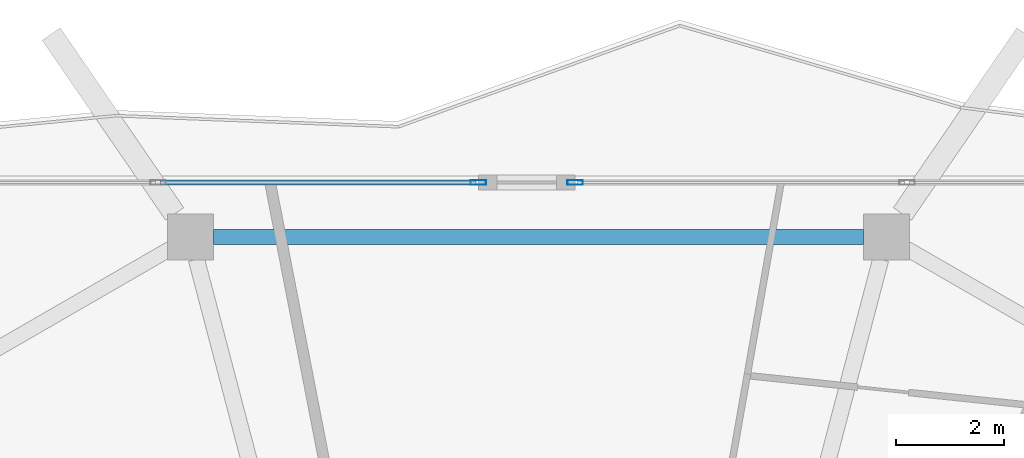
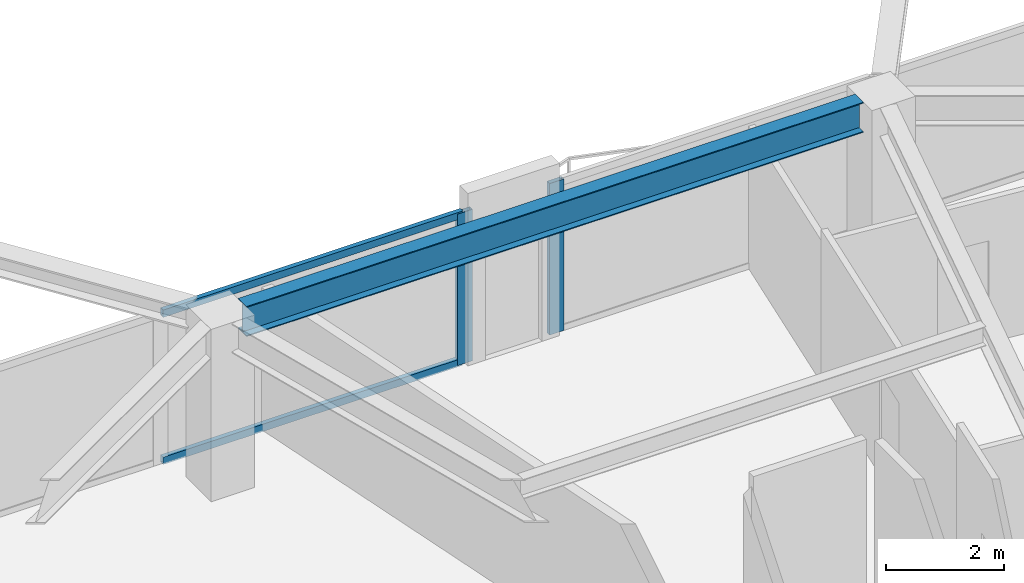
# One storey, part 14 of 26: 4 members, 1 beam, 2 elements without a shape of their own.
"""IFC4 building model written with IfcOpenShell, lengths in metres."""

from ifc_helpers import new_model, si_unit, direction, frame, origin, origin_2d, place, context, subcontext, project, spatial, hollow_rectangle, i_section, extrude, material, material_profile, profile_set, type_object, element, aggregate, save


model = new_model("IFC4")

# Units and contexts
model_context = context("Model", 3, precision=1e-05, world=origin(), true_north=direction((0.0, 1.0)))
body_context = subcontext(model_context, "Body", "Model", "MODEL_VIEW")
ifc_project = project(units=[si_unit("LENGTHUNIT", "METRE"), si_unit("AREAUNIT", "SQUARE_METRE"), si_unit("VOLUMEUNIT", "CUBIC_METRE"), si_unit("PLANEANGLEUNIT", "RADIAN"), si_unit("MASSUNIT", "GRAM", prefix="KILO")], contexts=[model_context])

# Site, building, storey
site_placement = place(None, origin())
site = spatial("IfcSite", under=ifc_project, at=site_placement, CompositionType="ELEMENT")
building_placement = place(site_placement, origin())
building = spatial("IfcBuilding", under=site, at=building_placement, Name="Zuhravey Tower", CompositionType="ELEMENT")
storey_placement = place(building_placement, frame((0.0, 0.0, 288.199951171875)))
storey = spatial("IfcBuildingStorey", under=building, at=storey_placement, Name="L73", CompositionType="ELEMENT", Elevation=288.199951171875)

# Curtain wall, member
ifc_material_1 = material(Name="Thermally broken anodised aluminium", Category="aluminium")
curtain_wall_type = type_object("IfcCurtainWallType", Name="Zone 3-4 High-Rise Curtain Wall CW4", PredefinedType="NOTDEFINED", material=ifc_material_1)
curtain_wall_1_placement = place(storey_placement, origin())
curtain_wall_1 = element("IfcCurtainWall", 1, at=curtain_wall_1_placement, inside=storey, type_object=curtain_wall_type, Name="L73 CW4 CW-L73-F2-1", PredefinedType="NOTDEFINED")
ifc_material_2 = material(Name="Anodised aluminium", Category="aluminium")
ifc_material_profile_1 = material_profile(ifc_material_2, hollow_rectangle(XDim=0.090087890625, YDim=0.284912109375, WallThickness=0.0048828125, at=origin_2d()), Name="ALU-RHS-90x285x5")
ifc_profile_set_1 = profile_set([ifc_material_profile_1], Name="Anodised aluminium")
member_type_1 = type_object("IfcMemberType", Name="Curtain-Wall Mullion 90x180", PredefinedType="MULLION", material=ifc_profile_set_1)
member_1_placement = place(storey_placement, frame((34.88623046875, 57.563720703125, 0.0), z_axis=(0.0, 0.0, 1.0), x_axis=(0.0, 1.0, 0.0)))
member_1 = element("IfcMember", 2, at=member_1_placement, type_object=member_type_1, Name="CW4 mullion 3", PredefinedType="MULLION", context=body_context, shape_type="SweptSolid", body=[
    extrude(hollow_rectangle(XDim=0.090087890625, YDim=0.284912109375, WallThickness=0.0048828125, at=origin_2d()), origin(), (0.0, 0.0, 1.0), 3.1220703125),
])

curtain_wall_2_placement = place(storey_placement, origin())
curtain_wall_2 = element("IfcCurtainWall", 3, at=curtain_wall_2_placement, inside=storey, type_object=curtain_wall_type, Name="L73 CW4 CW-L73-F2-2", PredefinedType="NOTDEFINED")
member_2_placement = place(storey_placement, frame((36.67626953125, 57.563720703125, 0.0), z_axis=(0.0, 0.0, 1.0), x_axis=(0.0, 1.0, 0.0)))
member_2 = element("IfcMember", 4, at=member_2_placement, type_object=member_type_1, Name="CW4 mullion 1", PredefinedType="MULLION", context=body_context, shape_type="SweptSolid", body=[
    extrude(hollow_rectangle(XDim=0.090087890625, YDim=0.284912109375, WallThickness=0.0048828125, at=origin_2d()), origin(), (0.0, 0.0, 1.0), 3.1220703125),
])
aggregate(curtain_wall_2, [member_2])

# Member
ifc_material_profile_2 = material_profile(ifc_material_2, hollow_rectangle(XDim=0.090087890625, YDim=0.14990234375, WallThickness=0.0048828125, at=origin_2d()), Name="ALU-RHS-90x150x5")
ifc_profile_set_2 = profile_set([ifc_material_profile_2], Name="Anodised aluminium")
member_type_2 = type_object("IfcMemberType", Name="Curtain-Wall Transom 90x150", PredefinedType="USERDEFINED", material=ifc_profile_set_2)
member_3_placement = place(storey_placement, frame((29.004150390625, 57.563720703125, 0.045166015625), z_axis=(1.0, 0.0, 0.0), x_axis=(0.0, 1.0, 0.0)))
member_3 = element("IfcMember", 5, at=member_3_placement, type_object=member_type_2, Name="CW4 transom 2.1", ObjectType="TRANSOM", PredefinedType="USERDEFINED", context=body_context, shape_type="SweptSolid", body=[
    extrude(hollow_rectangle(XDim=0.090087890625, YDim=0.14990234375, WallThickness=0.0048828125, at=origin_2d()), origin(), (0.0, 0.0, 1.0), 5.837158203125),
])

member_4_placement = place(storey_placement, frame((29.004150390625, 57.563720703125, 3.0771484375), z_axis=(1.0, 0.0, 0.0), x_axis=(0.0, 1.0, 0.0)))
member_4 = element("IfcMember", 6, at=member_4_placement, type_object=member_type_2, Name="CW4 transom 2.2", ObjectType="TRANSOM", PredefinedType="USERDEFINED", context=body_context, shape_type="SweptSolid", body=[
    extrude(hollow_rectangle(XDim=0.090087890625, YDim=0.14990234375, WallThickness=0.0048828125, at=origin_2d()), origin(), (0.0, 0.0, 1.0), 5.837158203125),
])

aggregate(curtain_wall_1, [member_1, member_3, member_4])

# Beam
ifc_material_3 = material(Name="Steel SM355", Category="steel")
ifc_material_profile_3 = material_profile(ifc_material_3, i_section(OverallWidth=0.280029296875, OverallDepth=0.6201171875, WebThickness=0.011962890625, FlangeThickness=0.02001953125, at=origin_2d()), Name="H-620x280x12x20")
ifc_profile_set_3 = profile_set([ifc_material_profile_3], Name="Steel SM355")
beam_type = type_object("IfcBeamType", Name="Perimeter Ring Beam H620x280", PredefinedType="BEAM", material=ifc_profile_set_3)
beam_placement = place(storey_placement, frame((42.012939453125, 56.5537109375, 3.239990234375), z_axis=(-1.0, 0.0, 0.0), x_axis=(0.0, -1.0, 0.0)))
element("IfcBeam", 7, at=beam_placement, inside=storey, type_object=beam_type, Name="L73 PB3 BM-L73-PB-03", PredefinedType="BEAM", context=body_context, shape_type="SweptSolid", body=[
    extrude(i_section(OverallWidth=0.280029296875, OverallDepth=0.6201171875, WebThickness=0.011962890625, FlangeThickness=0.02001953125, at=origin_2d()), origin(), (0.0, 0.0, 1.0), 12.02587890625),
])

save(model, "model.ifc")
